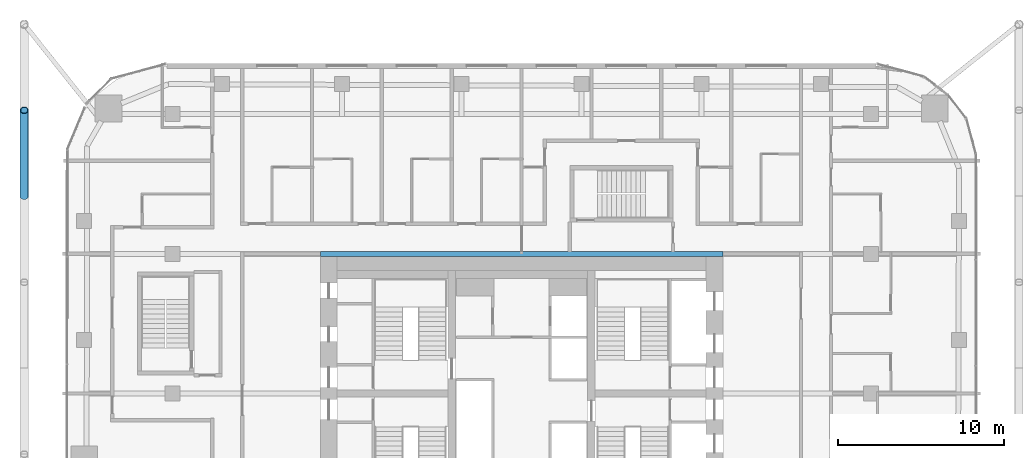
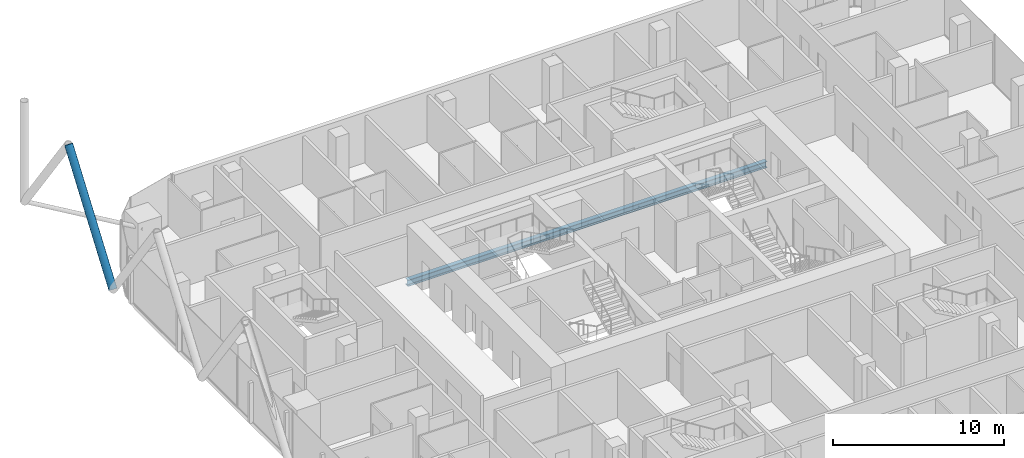
# One storey, part 10 of 33: 1 beam, 1 member.
"""IFC4 building model written with IfcOpenShell, lengths in metres."""

from ifc_helpers import new_model, si_unit, direction, frame, origin, origin_2d, place, context, subcontext, project, spatial, hollow_circle, i_section, extrude, material, material_profile, profile_set, type_object, element, save


model = new_model("IFC4")

# Units and contexts
model_context = context("Model", 3, precision=1e-05, world=origin(), true_north=direction((0.0, 1.0)))
body_context = subcontext(model_context, "Body", "Model", "MODEL_VIEW")
ifc_project = project(units=[si_unit("LENGTHUNIT", "METRE"), si_unit("AREAUNIT", "SQUARE_METRE"), si_unit("VOLUMEUNIT", "CUBIC_METRE"), si_unit("PLANEANGLEUNIT", "RADIAN"), si_unit("MASSUNIT", "GRAM", prefix="KILO")], contexts=[model_context])

# Site, building, storey
site_placement = place(None, origin())
site = spatial("IfcSite", under=ifc_project, at=site_placement, CompositionType="ELEMENT")
building_placement = place(site_placement, origin())
building = spatial("IfcBuilding", under=site, at=building_placement, Name="Marenta Gate Hotel Tower", CompositionType="ELEMENT")
storey_placement = place(building_placement, frame((0.0, 0.0, 122.89990234375)))
storey = spatial("IfcBuildingStorey", under=building, at=storey_placement, Name="L27", CompositionType="ELEMENT", Elevation=122.89990234375)

# Member
ifc_material_1 = material(Name="Steel S355J2W", Category="steel")
ifc_material_profile_1 = material_profile(ifc_material_1, hollow_circle(Radius=0.25390625, WallThickness=0.0400390625, at=origin_2d()), Name="CHS 508x40")
ifc_profile_set_1 = profile_set([ifc_material_profile_1], Name="Steel S355J2W")
member_type = type_object("IfcMemberType", Name="Diagrid diagonal Z2 CHS 508x40", PredefinedType="BRACE", material=ifc_profile_set_1)
member_placement = place(storey_placement, frame((-29.89990234375, 20.260009765625, 3.14013671875), z_axis=(0.0, 0.583260841117, 0.812284919975), x_axis=(-1.0, 0.0, 0.0)))
element("IfcMember", 1, at=member_placement, inside=storey, type_object=member_type, Name="L27-DG-33", PredefinedType="BRACE", context=body_context, shape_type="SweptSolid", body=[
    extrude(hollow_circle(Radius=0.25390625, WallThickness=0.0400390625, at=origin_2d()), origin(), (0.0, 0.0, 1.0), 8.86376953125),
])

# Beam
ifc_material_2 = material(Name="Steel S355", Category="steel")
ifc_material_profile_2 = material_profile(ifc_material_2, i_section(OverallWidth=0.300048828125, OverallDepth=0.449951171875, WebThickness=0.013916015625, FlangeThickness=0.02587890625, FilletRadius=0.027099609375, at=origin_2d()), Name="HEB 450")
ifc_profile_set_2 = profile_set([ifc_material_profile_2], Name="Steel S355")
beam_type = type_object("IfcBeamType", Name="Girder HEB 450", PredefinedType="BEAM", material=ifc_profile_set_2)
beam_placement = place(storey_placement, frame((-12.10009765625, 16.800048828125, -0.48486328125), z_axis=(1.0, 0.0, 0.0), x_axis=(0.0, 1.0, 0.0)))
element("IfcBeam", 2, at=beam_placement, inside=storey, type_object=beam_type, Name="L27-GD-26", PredefinedType="BEAM", context=body_context, shape_type="SweptSolid", body=[
    extrude(i_section(OverallWidth=0.300048828125, OverallDepth=0.449951171875, WebThickness=0.013916015625, FlangeThickness=0.02587890625, FilletRadius=0.027099609375, at=origin_2d()), origin(), (0.0, 0.0, 1.0), 24.2001953125),
])

save(model, "model.ifc")
